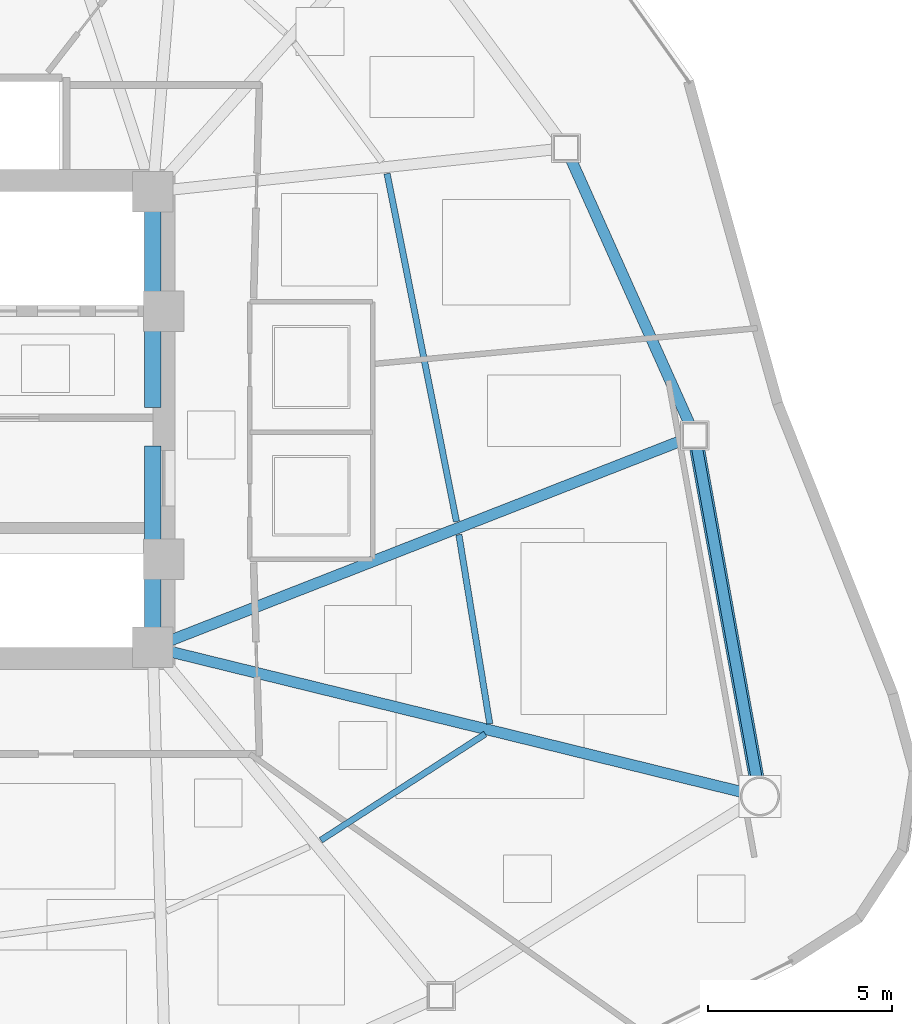
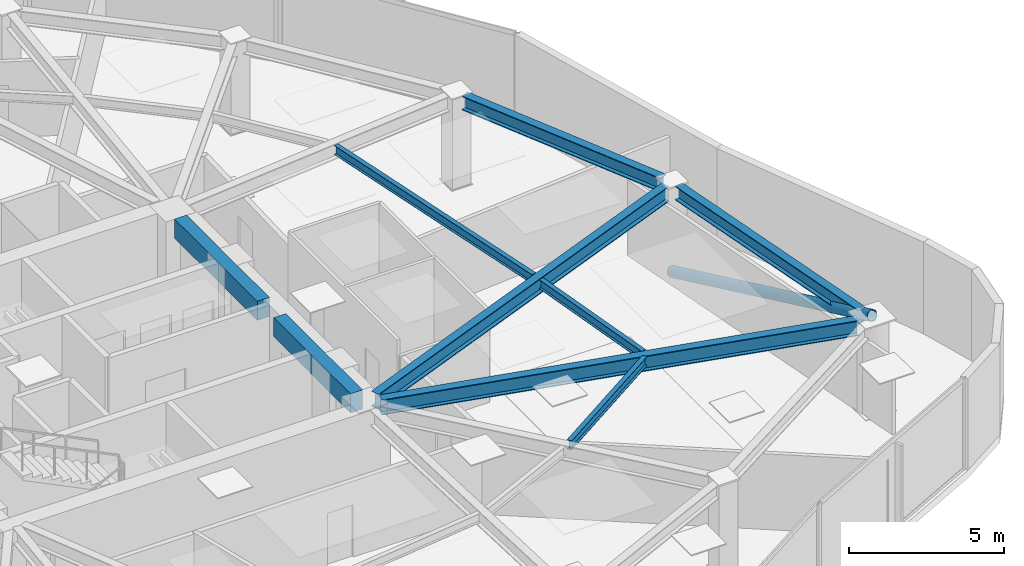
# One storey, part 7 of 18: 9 beams, 1 member.
"""IFC4 building model written with IfcOpenShell, lengths in metres."""

from ifc_helpers import new_model, si_unit, direction, frame, origin, origin_2d, place, context, subcontext, project, spatial, rectangle, hollow_circle, i_section, extrude, material, material_profile, profile_set, type_object, element, save


model = new_model("IFC4")

# Units and contexts
model_context = context("Model", 3, precision=1e-05, world=origin(), true_north=direction((0.0, 1.0)))
body_context = subcontext(model_context, "Body", "Model", "MODEL_VIEW")
ifc_project = project(units=[si_unit("LENGTHUNIT", "METRE"), si_unit("AREAUNIT", "SQUARE_METRE"), si_unit("VOLUMEUNIT", "CUBIC_METRE"), si_unit("PLANEANGLEUNIT", "RADIAN"), si_unit("MASSUNIT", "GRAM", prefix="KILO")], contexts=[model_context])

# Site, building, storey
site_placement = place(None, origin())
site = spatial("IfcSite", under=ifc_project, at=site_placement, CompositionType="ELEMENT")
building_placement = place(site_placement, origin())
building = spatial("IfcBuilding", under=site, at=building_placement, Name="Tavelor Broadcast Tower", CompositionType="ELEMENT")
storey_placement = place(building_placement, frame((0.0, 0.0, 62.699951171875)))
storey = spatial("IfcBuildingStorey", under=building, at=storey_placement, Name="L14", CompositionType="ELEMENT", Elevation=62.699951171875)

# Beams
ifc_material_1 = material(Name="Concrete C40/50", Category="concrete")
ifc_material_profile_1 = material_profile(ifc_material_1, rectangle(XDim=0.449951171875, YDim=0.75, at=origin_2d()), Name="RC 450x750")
ifc_profile_set_1 = profile_set([ifc_material_profile_1], Name="Concrete C40/50")
beam_type_1 = type_object("IfcBeamType", Name="Basement Core Trim Beam 450x750", PredefinedType="BEAM", material=ifc_profile_set_1)
beam_1_placement = place(storey_placement, frame((56.60009765625, 45.327880859375, 3.22509765625), z_axis=(0.0, 1.0, 0.0), x_axis=(-1.0, 0.0, 0.0)))
element("IfcBeam", 1, at=beam_1_placement, inside=storey, type_object=beam_type_1, Name="L14 Core East-N Tie Girder", PredefinedType="BEAM", context=body_context, shape_type="SweptSolid", body=[
    extrude(rectangle(XDim=0.449951171875, YDim=0.75, at=origin_2d()), origin(), (0.0, 0.0, 1.0), 5.34423828125),
])
beam_2_placement = place(storey_placement, frame((56.60009765625, 39.327880859375, 3.22509765625), z_axis=(0.0, 1.0, 0.0), x_axis=(-1.0, 0.0, 0.0)))
element("IfcBeam", 2, at=beam_2_placement, inside=storey, type_object=beam_type_1, Name="L14 Core East-S Tie Girder", PredefinedType="BEAM", context=body_context, shape_type="SweptSolid", body=[
    extrude(rectangle(XDim=0.449951171875, YDim=0.75, at=origin_2d()), origin(), (0.0, 0.0, 1.0), 4.944091796875),
])
ifc_material_2 = material(Name="Steel S355", Category="steel")
ifc_material_profile_2 = material_profile(ifc_material_2, i_section(OverallWidth=0.169921875, OverallDepth=0.360107421875, WebThickness=0.008056640625, FlangeThickness=0.0126953125, at=origin_2d()), Name="IPE 360")
ifc_profile_set_2 = profile_set([ifc_material_profile_2], Name="Steel S355")
beam_type_2 = type_object("IfcBeamType", Name="Composite Floor Joist T2 IPE 360", PredefinedType="JOIST", material=ifc_profile_set_2)
beam_3_placement = place(storey_placement, frame((61.172607421875, 33.552490234375, 3.420166015625), z_axis=(0.839830816691, 0.542848228639, 0.0), x_axis=(-0.542848228639, 0.839830816691, 0.0)))
element("IfcBeam", 3, at=beam_3_placement, inside=storey, type_object=beam_type_2, Name="L14 Secondary Composite Floor Joist 12", PredefinedType="JOIST", context=body_context, shape_type="SweptSolid", body=[
    extrude(i_section(OverallWidth=0.169921875, OverallDepth=0.360107421875, WebThickness=0.008056640625, FlangeThickness=0.0126953125, at=origin_2d()), origin(), (0.0, 0.0, 1.0), 5.325439453125),
])
beam_4_placement = place(storey_placement, frame((65.767822265625, 36.72021484375, 3.420166015625), z_axis=(-0.161277112784, 0.986909161419, 0.0), x_axis=(-0.986909161419, -0.161277112784, 0.0)))
element("IfcBeam", 4, at=beam_4_placement, inside=storey, type_object=beam_type_2, Name="L14 Secondary Composite Floor Joist 13", PredefinedType="JOIST", context=body_context, shape_type="SweptSolid", body=[
    extrude(i_section(OverallWidth=0.169921875, OverallDepth=0.360107421875, WebThickness=0.008056640625, FlangeThickness=0.0126953125, at=origin_2d()), origin(), (0.0, 0.0, 1.0), 5.213623046875),
])
beam_5_placement = place(storey_placement, frame((64.8623046875, 42.2216796875, 3.420166015625), z_axis=(-0.195581157194, 0.980687519524, 0.0), x_axis=(-0.980687519524, -0.195581157194, 0.0)))
element("IfcBeam", 5, at=beam_5_placement, inside=storey, type_object=beam_type_2, Name="L14 Secondary Composite Floor Joist 14", PredefinedType="JOIST", context=body_context, shape_type="SweptSolid", body=[
    extrude(i_section(OverallWidth=0.169921875, OverallDepth=0.360107421875, WebThickness=0.008056640625, FlangeThickness=0.0126953125, at=origin_2d()), origin(), (0.0, 0.0, 1.0), 9.654296875),
])
ifc_material_profile_3 = material_profile(ifc_material_2, i_section(OverallWidth=0.300048828125, OverallDepth=0.550048828125, WebThickness=0.014892578125, FlangeThickness=0.029052734375, at=origin_2d()), Name="HEB 550")
ifc_profile_set_3 = profile_set([ifc_material_profile_3], Name="Steel S355")
beam_type_3 = type_object("IfcBeamType", Name="Perimeter Spandrel Beam T2 HEB 550", PredefinedType="SPANDREL", material=ifc_profile_set_3)
beam_6_placement = place(storey_placement, frame((73.02685546875, 35.248046875, 3.324951171875), z_axis=(-0.177746542691, 0.984076301189, 0.0), x_axis=(-0.984076301189, -0.177746542691, 0.0)))
element("IfcBeam", 6, at=beam_6_placement, inside=storey, type_object=beam_type_3, Name="L14 Framed-Tube Ring Spandrel 13", PredefinedType="SPANDREL", context=body_context, shape_type="SweptSolid", body=[
    extrude(i_section(OverallWidth=0.300048828125, OverallDepth=0.550048828125, WebThickness=0.014892578125, FlangeThickness=0.029052734375, at=origin_2d()), origin(), (0.0, 0.0, 1.0), 9.13134765625),
])
beam_7_placement = place(storey_placement, frame((71.206787109375, 44.87109375, 3.324951171875), z_axis=(-0.408951132019, 0.912556284084, 0.0), x_axis=(-0.912556284084, -0.408951132019, 0.0)))
element("IfcBeam", 7, at=beam_7_placement, inside=storey, type_object=beam_type_3, Name="L14 Framed-Tube Ring Spandrel 14", PredefinedType="SPANDREL", context=body_context, shape_type="SweptSolid", body=[
    extrude(i_section(OverallWidth=0.300048828125, OverallDepth=0.550048828125, WebThickness=0.014892578125, FlangeThickness=0.029052734375, at=origin_2d()), origin(), (0.0, 0.0, 1.0), 7.895263671875),
])

# Member
ifc_material_profile_4 = material_profile(ifc_material_2, hollow_circle(Radius=0.203125, WallThickness=0.02001953125, at=origin_2d()), Name="CHS 406.4x20")
ifc_profile_set_4 = profile_set([ifc_material_profile_4], Name="Steel S355")
member_type = type_object("IfcMemberType", Name="Perimeter Tube Brace T2 CHS 406.4x20", PredefinedType="BRACE", material=ifc_profile_set_4)
member_placement = place(storey_placement, frame((71.343994140625, 44.564697265625, 0.0), z_axis=(0.167205980675, -0.925685078259, 0.339336552578), x_axis=(0.984075144607, 0.177752945874, 0.0)))
element("IfcMember", 8, at=member_placement, inside=storey, type_object=member_type, Name="L14 Corner Tube Diagonal Brace 3", PredefinedType="BRACE", context=body_context, shape_type="SweptSolid", body=[
    extrude(hollow_circle(Radius=0.203125, WallThickness=0.02001953125, at=origin_2d()), origin(), (0.0, 0.0, 1.0), 10.609130859375),
])

# Beams
ifc_material_profile_5 = material_profile(ifc_material_2, i_section(OverallWidth=0.300048828125, OverallDepth=0.60009765625, WebThickness=0.015380859375, FlangeThickness=0.030029296875, at=origin_2d()), Name="HEB 600")
ifc_profile_set_5 = profile_set([ifc_material_profile_5], Name="Steel S355")
beam_type_4 = type_object("IfcBeamType", Name="Radial Floor Girder T2 HEB 600", PredefinedType="BEAM", material=ifc_profile_set_5)
beam_8_placement = place(storey_placement, frame((57.11279296875, 38.674072265625, 3.300048828125), z_axis=(0.971151145926, -0.238464780979, 0.0), x_axis=(0.238464780979, 0.971151145926, 0.0)))
element("IfcBeam", 9, at=beam_8_placement, inside=storey, type_object=beam_type_4, Name="L14 Radial Primary Floor Girder 13", PredefinedType="BEAM", context=body_context, shape_type="SweptSolid", body=[
    extrude(i_section(OverallWidth=0.300048828125, OverallDepth=0.60009765625, WebThickness=0.015380859375, FlangeThickness=0.030029296875, at=origin_2d()), origin(), (0.0, 0.0, 1.0), 15.96826171875),
])
beam_9_placement = place(storey_placement, frame((57.091796875, 38.9921875, 3.300048828125), z_axis=(0.931341899941, 0.36414593972, 0.0), x_axis=(-0.36414593972, 0.931341899941, 0.0)))
element("IfcBeam", 10, at=beam_9_placement, inside=storey, type_object=beam_type_4, Name="L14 Radial Primary Floor Girder 14", PredefinedType="BEAM", context=body_context, shape_type="SweptSolid", body=[
    extrude(i_section(OverallWidth=0.300048828125, OverallDepth=0.60009765625, WebThickness=0.015380859375, FlangeThickness=0.030029296875, at=origin_2d()), origin(), (0.0, 0.0, 1.0), 14.967041015625),
])

save(model, "model.ifc")
